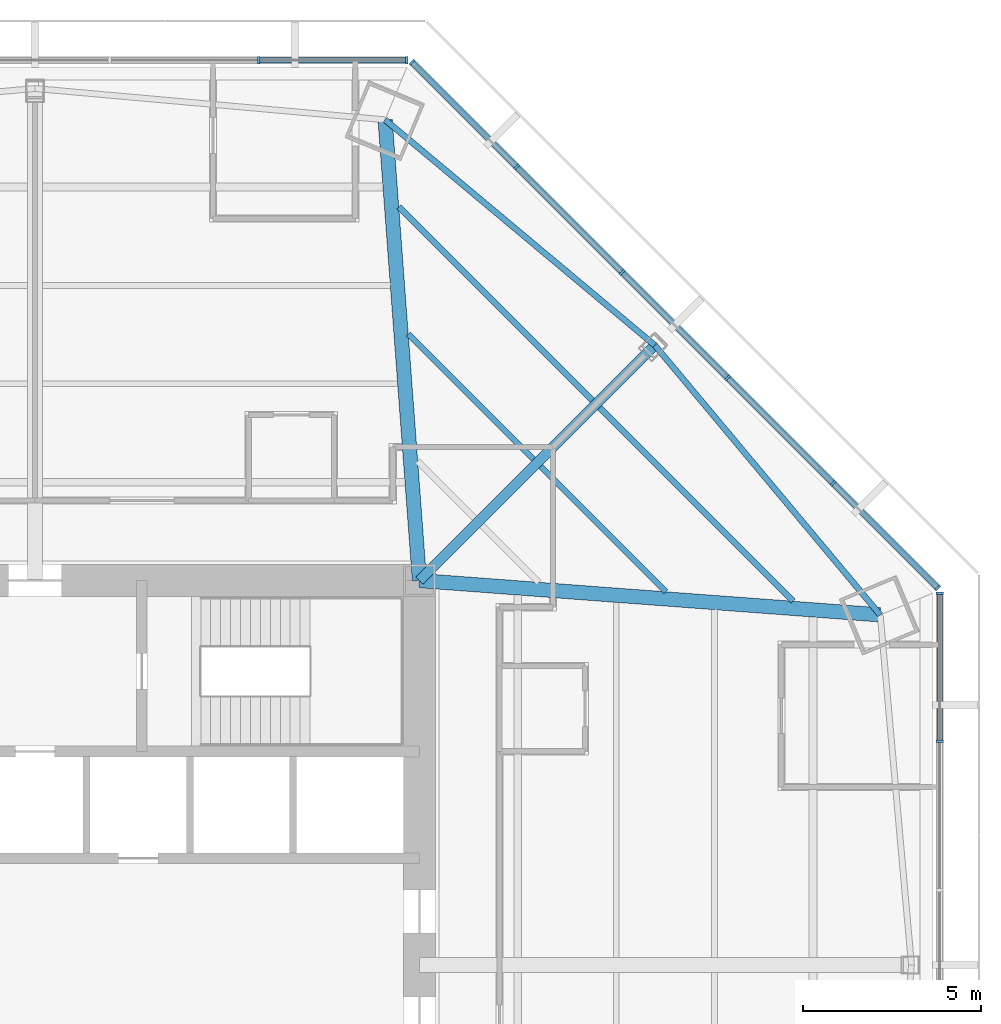
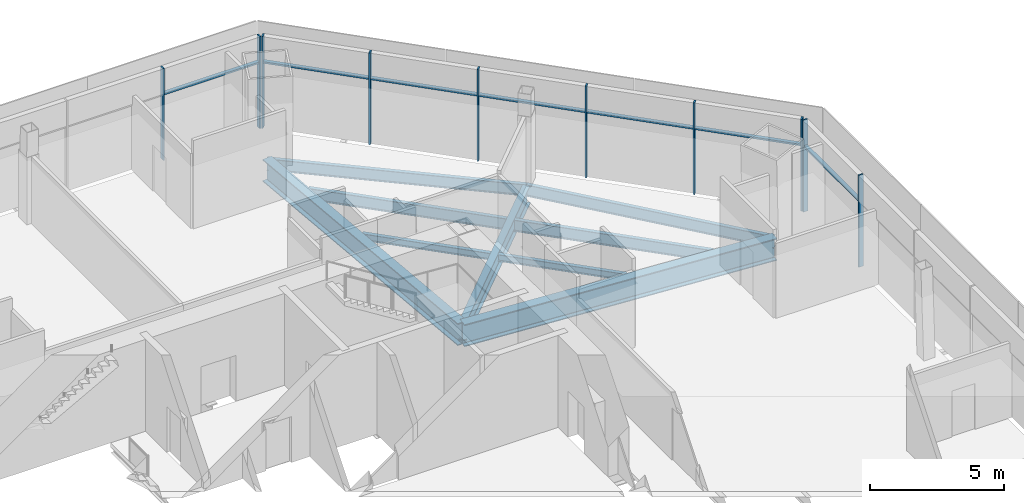
# One storey, part 7 of 17: 17 members, 9 beams, 3 elements without a shape of their own.
"""IFC4 building model written with IfcOpenShell, lengths in metres."""

from ifc_helpers import new_model, si_unit, direction, frame, origin, origin_2d, place, context, subcontext, project, spatial, rectangle, i_section, extrude, source, transform, mapped, material, material_profile, profile_set, type_object, type_shapes, element, aggregate, save


model = new_model("IFC4")

# Units and contexts
model_context = context("Model", 3, precision=1e-05, world=origin(), true_north=direction((0.0, 1.0)))
body_context = subcontext(model_context, "Body", "Model", "MODEL_VIEW")
ifc_project = project(units=[si_unit("LENGTHUNIT", "METRE"), si_unit("AREAUNIT", "SQUARE_METRE"), si_unit("VOLUMEUNIT", "CUBIC_METRE"), si_unit("PLANEANGLEUNIT", "RADIAN"), si_unit("MASSUNIT", "GRAM", prefix="KILO")], contexts=[model_context])

# Site, building, storey
site_placement = place(None, origin())
site = spatial("IfcSite", under=ifc_project, at=site_placement, CompositionType="ELEMENT")
building_placement = place(site_placement, origin())
building = spatial("IfcBuilding", under=site, at=building_placement, Name="Mashrafa Tower", CompositionType="ELEMENT")
storey_placement = place(building_placement, frame((0.0, 0.0, 91.800048828125)))
storey = spatial("IfcBuildingStorey", under=building, at=storey_placement, Name="L20", CompositionType="ELEMENT", Elevation=91.800048828125)

# Beams
ifc_material_1 = material(Name="Steel ASTM A992", Category="steel")
ifc_material_profile_1 = material_profile(ifc_material_1, i_section(OverallWidth=0.164794921875, OverallDepth=0.309814453125, WebThickness=0.005859375, FlangeThickness=0.009765625, FilletRadius=0.007568359375, at=origin_2d()), Name="W12X26")
ifc_profile_set_1 = profile_set([ifc_material_profile_1], Name="Steel ASTM A992")
beam_type_1 = type_object("IfcBeamType", Name="Beam W12X26", PredefinedType="BEAM", material=ifc_profile_set_1)
for number, where, z_axis, x_axis, name in (
    (1, (10.485107421875, 17.7255859375, -0.320068359375), (0.707131323705, -0.707082237816, 0.0), (0.707082237816, 0.707131323705, 0.0), "Floor beam L20 036"),
    (2, (14.208740234375, 14.002197265625, -0.320068359375), (0.707082237816, -0.707131323705, 0.0), (0.707131323705, 0.707082237816, 0.0), "Floor beam L20 045"),
):
    element("IfcBeam", number, at=place(storey_placement, frame(where, z_axis=z_axis, x_axis=x_axis)), inside=storey, type_object=beam_type_1, Name=name, PredefinedType="BEAM", context=body_context, shape_type="SweptSolid", body=[
        extrude(i_section(OverallWidth=0.164794921875, OverallDepth=0.309814453125, WebThickness=0.005859375, FlangeThickness=0.009765625, FilletRadius=0.007568359375, at=origin_2d()), origin(), (0.0, 0.0, 1.0), 4.9736328125),
    ])
ifc_material_2 = material(Name="Steel ASTM A992", Category="steel")
ifc_material_profile_2 = material_profile(ifc_material_2, i_section(OverallWidth=0.165771484375, OverallDepth=0.5283203125, WebThickness=0.009765625, FlangeThickness=0.013671875, FilletRadius=0.012939453125, at=origin_2d()), Name="W21X50")
ifc_profile_set_2 = profile_set([ifc_material_profile_2], Name="Steel ASTM A992")
beam_type_2 = type_object("IfcBeamType", Name="Beam W21X50", PredefinedType="BEAM", material=ifc_profile_set_2)
for number, where, z_axis, x_axis, name in (
    (3, (10.21875, 21.29736328125, -0.42919921875), (0.707106781187, -0.707106781187, 0.0), (0.707106781187, 0.707106781187, 0.0), "Floor beam L20 034"),
    (4, (15.861328125, 15.65478515625, -0.42919921875), (0.707106781187, -0.707106781187, 0.0), (0.707106781187, 0.707106781187, 0.0), "Floor beam L20 048"),
):
    element("IfcBeam", number, at=place(storey_placement, frame(where, z_axis=z_axis, x_axis=x_axis)), inside=storey, type_object=beam_type_2, Name=name, PredefinedType="BEAM", context=body_context, shape_type="SweptSolid", body=[
        extrude(i_section(OverallWidth=0.165771484375, OverallDepth=0.5283203125, WebThickness=0.009765625, FlangeThickness=0.013671875, FilletRadius=0.012939453125, at=origin_2d()), origin(), (0.0, 0.0, 1.0), 7.687744140625),
    ])
for number, where, z_axis, x_axis, name in (
    (5, (17.41064453125, 17.41064453125, -0.42919921875), (-0.767180616047, 0.641431136102, 0.0), (-0.641431136102, -0.767180616047, 0.0), "Spandrel beam L20 085"),
    (6, (23.744384765625, 9.835205078125, -0.42919921875), (-0.641431136102, 0.767180616047, 0.0), (-0.767180616047, -0.641431136102, 0.0), "Spandrel beam L20 087"),
):
    element("IfcBeam", number, at=place(storey_placement, frame(where, z_axis=z_axis, x_axis=x_axis)), inside=storey, type_object=beam_type_2, Name=name, PredefinedType="BEAM", context=body_context, shape_type="SweptSolid", body=[
        extrude(i_section(OverallWidth=0.165771484375, OverallDepth=0.5283203125, WebThickness=0.009765625, FlangeThickness=0.013671875, FilletRadius=0.012939453125, at=origin_2d()), origin(), (0.0, 0.0, 1.0), 9.874267578125),
    ])
ifc_material_3 = material(Name="Steel ASTM A992", Category="steel")
ifc_material_profile_3 = material_profile(ifc_material_3, i_section(OverallWidth=0.2919921875, OverallDepth=0.845703125, WebThickness=0.015380859375, FlangeThickness=0.0244140625, FilletRadius=0.017333984375, at=origin_2d()), Name="W33X141")
ifc_profile_set_3 = profile_set([ifc_material_profile_3], Name="Steel ASTM A992")
beam_type_3 = type_object("IfcBeamType", Name="Beam W33X141", PredefinedType="BEAM", material=ifc_profile_set_3)
beam_placement = place(storey_placement, frame((10.800048828125, 10.800048828125, -0.587890625), z_axis=(0.707106781187, 0.707106781187, 0.0), x_axis=(-0.707106781187, 0.707106781187, 0.0)))
element("IfcBeam", 7, at=beam_placement, inside=storey, type_object=beam_type_3, Name="Radial girder L20 071", PredefinedType="BEAM", context=body_context, shape_type="SweptSolid", body=[
    extrude(i_section(OverallWidth=0.2919921875, OverallDepth=0.845703125, WebThickness=0.015380859375, FlangeThickness=0.0244140625, FilletRadius=0.017333984375, at=origin_2d()), origin(), (0.0, 0.0, 1.0), 9.348876953125),
])
ifc_material_4 = material(Name="Steel ASTM A992", Category="steel")
ifc_material_profile_4 = material_profile(ifc_material_4, i_section(OverallWidth=0.4013671875, OverallDepth=1.010986328125, WebThickness=0.023681640625, FlangeThickness=0.0419921875, FilletRadius=0.02001953125, at=origin_2d()), Name="W40X297")
ifc_profile_set_4 = profile_set([ifc_material_profile_4], Name="Steel ASTM A992")
beam_type_4 = type_object("IfcBeamType", Name="Beam W40X297", PredefinedType="BEAM", material=ifc_profile_set_4)
for number, where, z_axis, x_axis, name in (
    (8, (10.800048828125, 10.800048828125, -0.67041015625), (-0.074331706471, 0.997233572145, 0.0), (-0.997233572145, -0.074331706471, 0.0), "Radial girder L20 070"),
    (9, (10.800048828125, 10.800048828125, -0.67041015625), (0.997233572145, -0.074331706471, 0.0), (0.074331706471, 0.997233572145, 0.0), "Radial girder L20 072"),
):
    element("IfcBeam", number, at=place(storey_placement, frame(where, z_axis=z_axis, x_axis=x_axis)), inside=storey, type_object=beam_type_4, Name=name, PredefinedType="BEAM", context=body_context, shape_type="SweptSolid", body=[
        extrude(i_section(OverallWidth=0.4013671875, OverallDepth=1.010986328125, WebThickness=0.023681640625, FlangeThickness=0.0419921875, FilletRadius=0.02001953125, at=origin_2d()), origin(), (0.0, 0.0, 1.0), 12.980224609375),
    ])

# Curtain wall, members
ifc_material_5 = material(Name="Unitised aluminium curtain wall", Category="aluminium")
curtain_wall_type = type_object("IfcCurtainWallType", Name="Office curtain wall, zone 1 CW-A 200 deep", PredefinedType="NOTDEFINED", material=ifc_material_5)
curtain_wall_1_placement = place(storey_placement, origin())
curtain_wall_1 = element("IfcCurtainWall", 10, at=curtain_wall_1_placement, inside=storey, type_object=curtain_wall_type, Name="Office curtain wall, zone 1 L20 east", PredefinedType="NOTDEFINED")
ifc_material_6 = material(Name="Extruded aluminium mullion", Category="aluminium")
ifc_material_profile_5 = material_profile(ifc_material_6, rectangle(XDim=0.199951171875, YDim=0.06494140625, at=origin_2d()), Name="Mullion 65x200")
ifc_profile_set_5 = profile_set([ifc_material_profile_5], Name="Extruded aluminium mullion")
member_type_1 = type_object("IfcMemberType", Name="Mullion CW-A 65 x 200", PredefinedType="MULLION", material=ifc_profile_set_5)
shared_shape_1 = source(origin(), body_context, "Body", "SweptSolid", [
    extrude(rectangle(XDim=0.199951171875, YDim=0.06494140625, at=origin_2d()), origin(), (0.0, 0.0, 1.0), 4.199951171875),
])
type_shapes(member_type_1, [shared_shape_1])
member_1_placement = place(storey_placement, frame((25.417724609375, 6.2861328125, 0.0), z_axis=(0.0, 0.0, 1.0), x_axis=(-1.0, 0.0, 0.0)))
member_1 = element("IfcMember", 11, at=member_1_placement, type_object=member_type_1, Name="CW-A mullion 5", PredefinedType="MULLION", context=body_context, shape_type="MappedRepresentation", body=[
    mapped(shared_shape_1, transform((0.0, 0.0, 0.0))),
])
member_2_placement = place(storey_placement, frame((25.417724609375, 10.444580078125, 0.0), z_axis=(0.0, 0.0, 1.0), x_axis=(-1.0, 0.0, 0.0)))
member_2 = element("IfcMember", 12, at=member_2_placement, type_object=member_type_1, Name="CW-A mullion 6", PredefinedType="MULLION", context=body_context, shape_type="MappedRepresentation", body=[
    mapped(shared_shape_1, transform((0.0, 0.0, 0.0))),
])

curtain_wall_2_placement = place(storey_placement, origin())
curtain_wall_2 = element("IfcCurtainWall", 13, at=curtain_wall_2_placement, inside=storey, type_object=curtain_wall_type, Name="Office curtain wall, zone 1 L20 north-east", PredefinedType="NOTDEFINED")
member_3_placement = place(storey_placement, frame((25.3583984375, 10.587646484375, 0.0), z_axis=(0.0, 0.0, 1.0), x_axis=(-0.707106781187, -0.707106781187, 0.0)))
member_3 = element("IfcMember", 14, at=member_3_placement, type_object=member_type_1, Name="CW-A mullion 1", PredefinedType="MULLION", context=body_context, shape_type="MappedRepresentation", body=[
    mapped(shared_shape_1, transform((0.0, 0.0, 0.0))),
])
member_4_placement = place(storey_placement, frame((22.418212890625, 13.528076171875, 0.0), z_axis=(0.0, 0.0, 1.0), x_axis=(-0.707106781187, -0.707106781187, 0.0)))
member_4 = element("IfcMember", 15, at=member_4_placement, type_object=member_type_1, Name="CW-A mullion 2", PredefinedType="MULLION", context=body_context, shape_type="MappedRepresentation", body=[
    mapped(shared_shape_1, transform((0.0, 0.0, 0.0))),
])
member_5_placement = place(storey_placement, frame((19.454833984375, 16.491455078125, 0.0), z_axis=(0.0, 0.0, 1.0), x_axis=(-0.707106781187, -0.707106781187, 0.0)))
member_5 = element("IfcMember", 16, at=member_5_placement, type_object=member_type_1, Name="CW-A mullion 3", PredefinedType="MULLION", context=body_context, shape_type="MappedRepresentation", body=[
    mapped(shared_shape_1, transform((0.0, 0.0, 0.0))),
])
member_6_placement = place(storey_placement, frame((16.491455078125, 19.454833984375, 0.0), z_axis=(0.0, 0.0, 1.0), x_axis=(-0.707106781187, -0.707106781187, 0.0)))
member_6 = element("IfcMember", 17, at=member_6_placement, type_object=member_type_1, Name="CW-A mullion 4", PredefinedType="MULLION", context=body_context, shape_type="MappedRepresentation", body=[
    mapped(shared_shape_1, transform((0.0, 0.0, 0.0))),
])
member_7_placement = place(storey_placement, frame((13.528076171875, 22.418212890625, 0.0), z_axis=(0.0, 0.0, 1.0), x_axis=(-0.707106781187, -0.707106781187, 0.0)))
member_7 = element("IfcMember", 18, at=member_7_placement, type_object=member_type_1, Name="CW-A mullion 5", PredefinedType="MULLION", context=body_context, shape_type="MappedRepresentation", body=[
    mapped(shared_shape_1, transform((0.0, 0.0, 0.0))),
])
member_8_placement = place(storey_placement, frame((10.587646484375, 25.3583984375, 0.0), z_axis=(0.0, 0.0, 1.0), x_axis=(-0.707106781187, -0.707106781187, 0.0)))
member_8 = element("IfcMember", 19, at=member_8_placement, type_object=member_type_1, Name="CW-A mullion 6", PredefinedType="MULLION", context=body_context, shape_type="MappedRepresentation", body=[
    mapped(shared_shape_1, transform((0.0, 0.0, 0.0))),
])

curtain_wall_3_placement = place(storey_placement, origin())
curtain_wall_3 = element("IfcCurtainWall", 20, at=curtain_wall_3_placement, inside=storey, type_object=curtain_wall_type, Name="Office curtain wall, zone 1 L20 north", PredefinedType="NOTDEFINED")
member_9_placement = place(storey_placement, frame((10.444580078125, 25.417724609375, 0.0), z_axis=(0.0, 0.0, 1.0), x_axis=(0.0, -1.0, 0.0)))
member_9 = element("IfcMember", 21, at=member_9_placement, type_object=member_type_1, Name="CW-A mullion 1", PredefinedType="MULLION", context=body_context, shape_type="MappedRepresentation", body=[
    mapped(shared_shape_1, transform((0.0, 0.0, 0.0))),
])
member_10_placement = place(storey_placement, frame((6.2861328125, 25.417724609375, 0.0), z_axis=(0.0, 0.0, 1.0), x_axis=(0.0, -1.0, 0.0)))
member_10 = element("IfcMember", 22, at=member_10_placement, type_object=member_type_1, Name="CW-A mullion 2", PredefinedType="MULLION", context=body_context, shape_type="MappedRepresentation", body=[
    mapped(shared_shape_1, transform((0.0, 0.0, 0.0))),
])

# Member
ifc_material_7 = material(Name="Extruded aluminium transom", Category="aluminium")
ifc_material_profile_6 = material_profile(ifc_material_7, rectangle(XDim=0.159912109375, YDim=0.080078125, at=origin_2d()), Name="Transom 80x160")
ifc_profile_set_6 = profile_set([ifc_material_profile_6], Name="Extruded aluminium transom")
member_type_2 = type_object("IfcMemberType", Name="Transom CW-A 80 x 160", PredefinedType="MULLION", material=ifc_profile_set_6)
shared_shape_2 = source(origin(), body_context, "Body", "SweptSolid", [
    extrude(rectangle(XDim=0.159912109375, YDim=0.080078125, at=origin_2d()), origin(), (0.0, 0.0, 1.0), 4.09326171875),
])
member_11_placement = place(storey_placement, frame((25.417724609375, 6.318603515625, 3.0), z_axis=(0.0, 1.0, 0.0), x_axis=(-1.0, 0.0, 0.0)))
member_11 = element("IfcMember", 23, at=member_11_placement, type_object=member_type_2, Name="CW-A transom 5", PredefinedType="MULLION", context=body_context, shape_type="MappedRepresentation", body=[
    mapped(shared_shape_2, transform((0.0, 0.0, 0.0))),
])

aggregate(curtain_wall_1, [member_1, member_2, member_11])

member_12_placement = place(storey_placement, frame((25.33544921875, 10.61083984375, 3.0), z_axis=(-0.707106781187, 0.707106781187, 0.0), x_axis=(-0.707106781187, -0.707106781187, 0.0)))
member_12 = element("IfcMember", 24, at=member_12_placement, type_object=member_type_2, Name="CW-A transom 1", PredefinedType="MULLION", context=body_context, shape_type="MappedRepresentation", body=[
    mapped(shared_shape_2, transform((0.0, 0.0, 0.0))),
])

member_13_placement = place(storey_placement, frame((13.505126953125, 22.441162109375, 3.0), z_axis=(-0.707106781187, 0.707106781187, 0.0), x_axis=(-0.707106781187, -0.707106781187, 0.0)))
member_13 = element("IfcMember", 25, at=member_13_placement, type_object=member_type_2, Name="CW-A transom 5", PredefinedType="MULLION", context=body_context, shape_type="MappedRepresentation", body=[
    mapped(shared_shape_2, transform((0.0, 0.0, 0.0))),
])

member_14_placement = place(storey_placement, frame((10.411865234375, 25.417724609375, 3.0), z_axis=(-1.0, 0.0, 0.0), x_axis=(0.0, -1.0, 0.0)))
member_14 = element("IfcMember", 26, at=member_14_placement, type_object=member_type_2, Name="CW-A transom 1", PredefinedType="MULLION", context=body_context, shape_type="MappedRepresentation", body=[
    mapped(shared_shape_2, transform((0.0, 0.0, 0.0))),
])

aggregate(curtain_wall_3, [member_9, member_10, member_14])

shared_shape_3 = source(origin(), body_context, "Body", "SweptSolid", [
    extrude(rectangle(XDim=0.159912109375, YDim=0.080078125, at=origin_2d()), origin(), (0.0, 0.0, 1.0), 4.1259765625),
])
type_shapes(member_type_2, [shared_shape_2, shared_shape_3])
member_15_placement = place(storey_placement, frame((22.395263671875, 13.551025390625, 3.0), z_axis=(-0.707106781187, 0.707106781187, 0.0), x_axis=(-0.707106781187, -0.707106781187, 0.0)))
member_15 = element("IfcMember", 27, at=member_15_placement, type_object=member_type_2, Name="CW-A transom 2", PredefinedType="MULLION", context=body_context, shape_type="MappedRepresentation", body=[
    mapped(shared_shape_3, transform((0.0, 0.0, 0.0))),
])

member_16_placement = place(storey_placement, frame((19.431884765625, 16.514404296875, 3.0), z_axis=(-0.707106781187, 0.707106781187, 0.0), x_axis=(-0.707106781187, -0.707106781187, 0.0)))
member_16 = element("IfcMember", 28, at=member_16_placement, type_object=member_type_2, Name="CW-A transom 3", PredefinedType="MULLION", context=body_context, shape_type="MappedRepresentation", body=[
    mapped(shared_shape_3, transform((0.0, 0.0, 0.0))),
])

member_17_placement = place(storey_placement, frame((16.468505859375, 19.477783203125, 3.0), z_axis=(-0.707106781187, 0.707106781187, 0.0), x_axis=(-0.707106781187, -0.707106781187, 0.0)))
member_17 = element("IfcMember", 29, at=member_17_placement, type_object=member_type_2, Name="CW-A transom 4", PredefinedType="MULLION", context=body_context, shape_type="MappedRepresentation", body=[
    mapped(shared_shape_3, transform((0.0, 0.0, 0.0))),
])

aggregate(curtain_wall_2, [member_3, member_4, member_5, member_6, member_7, member_8, member_12, member_15, member_16, member_17, member_13])

save(model, "model.ifc")
